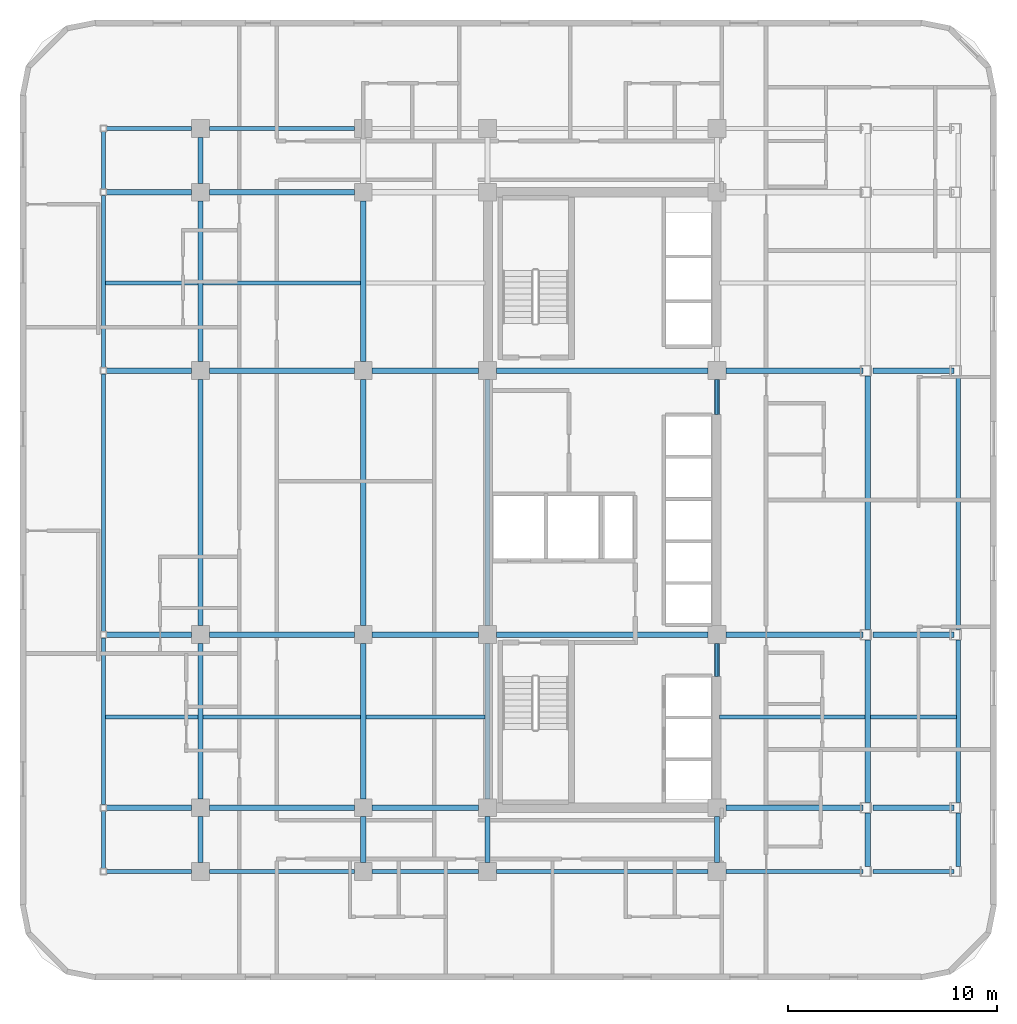
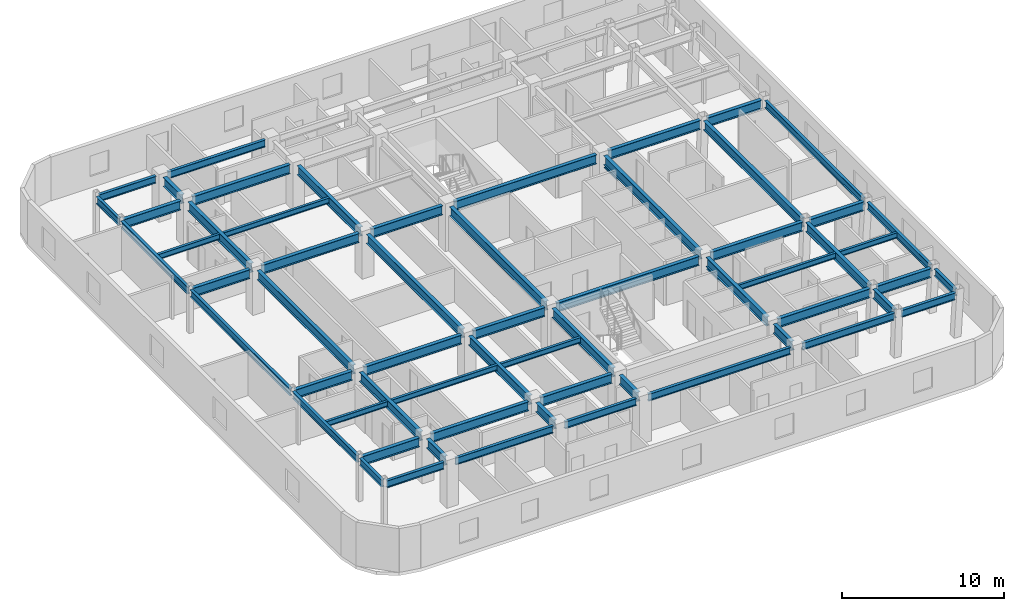
# One storey, part 4 of 11: 62 beams.
"""IFC4 building model written with IfcOpenShell, lengths in metres."""

from ifc_helpers import new_model, si_unit, direction, frame, origin, origin_2d, place, context, subcontext, project, spatial, i_section, extrude, material, material_profile, profile_set, type_object, element, save


model = new_model("IFC4")

# Units and contexts
model_context = context("Model", 3, precision=1e-05, world=origin(), true_north=direction((0.0, 1.0)))
body_context = subcontext(model_context, "Body", "Model", "MODEL_VIEW")
ifc_project = project(units=[si_unit("LENGTHUNIT", "METRE"), si_unit("AREAUNIT", "SQUARE_METRE"), si_unit("VOLUMEUNIT", "CUBIC_METRE"), si_unit("PLANEANGLEUNIT", "RADIAN"), si_unit("MASSUNIT", "GRAM", prefix="KILO")], contexts=[model_context])

# Site, building, storey
site_placement = place(None, origin())
site = spatial("IfcSite", under=ifc_project, at=site_placement, CompositionType="ELEMENT")
building_placement = place(site_placement, origin())
building = spatial("IfcBuilding", under=site, at=building_placement, Name="Ochreholt Gables", CompositionType="ELEMENT")
storey_placement = place(building_placement, frame((0.0, 0.0, 67.800048828125)))
storey = spatial("IfcBuildingStorey", under=building, at=storey_placement, Name="L17", CompositionType="ELEMENT", Elevation=67.800048828125)

# Beams
ifc_material = material(Name="Steel CSA G40.21 350W", Category="steel")
ifc_material_profile_1 = material_profile(ifc_material, i_section(OverallWidth=0.256103515625, OverallDepth=0.693115234375, WebThickness=0.014404296875, FlangeThickness=0.023681640625, at=origin_2d()), Name="W690X170")
ifc_profile_set_1 = profile_set([ifc_material_profile_1], Name="Steel CSA G40.21 350W")
beam_type_1 = type_object("IfcBeamType", Name="BM-G-W690", PredefinedType="BEAM", material=ifc_profile_set_1)
beam_1_placement = place(storey_placement, frame((5.9521484375, 9.25, 2.953369140625), z_axis=(1.0, 0.0, 0.0), x_axis=(0.0, 1.0, 0.0)))
element("IfcBeam", 1, at=beam_1_placement, inside=storey, type_object=beam_type_1, Name="L17 Beam TBG-L17-WTW2-Y2", PredefinedType="BEAM", context=body_context, shape_type="SweptSolid", body=[
    extrude(i_section(OverallWidth=0.256103515625, OverallDepth=0.693115234375, WebThickness=0.014404296875, FlangeThickness=0.023681640625, at=origin_2d()), origin(), (0.0, 0.0, 1.0), 4.0732421875),
])
beam_2_placement = place(storey_placement, frame((10.87451171875, 9.25, 2.953369140625), z_axis=(1.0, 0.0, 0.0), x_axis=(0.0, 1.0, 0.0)))
element("IfcBeam", 2, at=beam_2_placement, inside=storey, type_object=beam_type_1, Name="L17 Beam TBG-L17-W2W3-Y2", PredefinedType="BEAM", context=body_context, shape_type="SweptSolid", body=[
    extrude(i_section(OverallWidth=0.256103515625, OverallDepth=0.693115234375, WebThickness=0.014404296875, FlangeThickness=0.023681640625, at=origin_2d()), origin(), (0.0, 0.0, 1.0), 6.950927734375),
])
beam_3_placement = place(storey_placement, frame((18.674560546875, 9.25, 2.953369140625), z_axis=(1.0, 0.0, 0.0), x_axis=(0.0, 1.0, 0.0)))
element("IfcBeam", 3, at=beam_3_placement, inside=storey, type_object=beam_type_1, Name="L17 Beam TBG-L17-W3C1-Y2", PredefinedType="BEAM", context=body_context, shape_type="SweptSolid", body=[
    extrude(i_section(OverallWidth=0.256103515625, OverallDepth=0.693115234375, WebThickness=0.014404296875, FlangeThickness=0.023681640625, at=origin_2d()), origin(), (0.0, 0.0, 1.0), 5.100830078125),
])
beam_4_placement = place(storey_placement, frame((35.62451171875, 9.25, 2.953369140625), z_axis=(1.0, 0.0, 0.0), x_axis=(0.0, 1.0, 0.0)))
element("IfcBeam", 4, at=beam_4_placement, inside=storey, type_object=beam_type_1, Name="L17 Beam TBG-L17-C2EM-Y2", PredefinedType="BEAM", context=body_context, shape_type="SweptSolid", body=[
    extrude(i_section(OverallWidth=0.256103515625, OverallDepth=0.693115234375, WebThickness=0.014404296875, FlangeThickness=0.023681640625, at=origin_2d()), origin(), (0.0, 0.0, 1.0), 6.560791015625),
])
beam_5_placement = place(storey_placement, frame((42.6845703125, 9.25, 2.953369140625), z_axis=(1.0, 0.0, 0.0), x_axis=(0.0, 1.0, 0.0)))
element("IfcBeam", 5, at=beam_5_placement, inside=storey, type_object=beam_type_1, Name="L17 Beam TBG-L17-EMEE-Y2", PredefinedType="BEAM", context=body_context, shape_type="SweptSolid", body=[
    extrude(i_section(OverallWidth=0.256103515625, OverallDepth=0.693115234375, WebThickness=0.014404296875, FlangeThickness=0.023681640625, at=origin_2d()), origin(), (0.0, 0.0, 1.0), 3.86376953125),
])
beam_6_placement = place(storey_placement, frame((5.9521484375, 17.550048828125, 2.953369140625), z_axis=(1.0, 0.0, 0.0), x_axis=(0.0, 1.0, 0.0)))
element("IfcBeam", 6, at=beam_6_placement, inside=storey, type_object=beam_type_1, Name="L17 Beam TBG-L17-WTW2-Y3", PredefinedType="BEAM", context=body_context, shape_type="SweptSolid", body=[
    extrude(i_section(OverallWidth=0.256103515625, OverallDepth=0.693115234375, WebThickness=0.014404296875, FlangeThickness=0.023681640625, at=origin_2d()), origin(), (0.0, 0.0, 1.0), 4.0732421875),
])
beam_7_placement = place(storey_placement, frame((10.87451171875, 17.550048828125, 2.953369140625), z_axis=(1.0, 0.0, 0.0), x_axis=(0.0, 1.0, 0.0)))
element("IfcBeam", 7, at=beam_7_placement, inside=storey, type_object=beam_type_1, Name="L17 Beam TBG-L17-W2W3-Y3", PredefinedType="BEAM", context=body_context, shape_type="SweptSolid", body=[
    extrude(i_section(OverallWidth=0.256103515625, OverallDepth=0.693115234375, WebThickness=0.014404296875, FlangeThickness=0.023681640625, at=origin_2d()), origin(), (0.0, 0.0, 1.0), 6.950927734375),
])
beam_8_placement = place(storey_placement, frame((18.674560546875, 17.550048828125, 2.953369140625), z_axis=(1.0, 0.0, 0.0), x_axis=(0.0, 1.0, 0.0)))
element("IfcBeam", 8, at=beam_8_placement, inside=storey, type_object=beam_type_1, Name="L17 Beam TBG-L17-W3C1-Y3", PredefinedType="BEAM", context=body_context, shape_type="SweptSolid", body=[
    extrude(i_section(OverallWidth=0.256103515625, OverallDepth=0.693115234375, WebThickness=0.014404296875, FlangeThickness=0.023681640625, at=origin_2d()), origin(), (0.0, 0.0, 1.0), 5.100830078125),
])
beam_9_placement = place(storey_placement, frame((24.62451171875, 17.550048828125, 2.953369140625), z_axis=(1.0, 0.0, 0.0), x_axis=(0.0, 1.0, 0.0)))
element("IfcBeam", 9, at=beam_9_placement, inside=storey, type_object=beam_type_1, Name="L17 Beam TBG-L17-C1C2-Y3", PredefinedType="BEAM", context=body_context, shape_type="SweptSolid", body=[
    extrude(i_section(OverallWidth=0.256103515625, OverallDepth=0.693115234375, WebThickness=0.014404296875, FlangeThickness=0.023681640625, at=origin_2d()), origin(), (0.0, 0.0, 1.0), 10.15087890625),
])
beam_10_placement = place(storey_placement, frame((35.62451171875, 17.550048828125, 2.953369140625), z_axis=(1.0, 0.0, 0.0), x_axis=(0.0, 1.0, 0.0)))
element("IfcBeam", 10, at=beam_10_placement, inside=storey, type_object=beam_type_1, Name="L17 Beam TBG-L17-C2EM-Y3", PredefinedType="BEAM", context=body_context, shape_type="SweptSolid", body=[
    extrude(i_section(OverallWidth=0.256103515625, OverallDepth=0.693115234375, WebThickness=0.014404296875, FlangeThickness=0.023681640625, at=origin_2d()), origin(), (0.0, 0.0, 1.0), 6.560791015625),
])
beam_11_placement = place(storey_placement, frame((42.6845703125, 17.550048828125, 2.953369140625), z_axis=(1.0, 0.0, 0.0), x_axis=(0.0, 1.0, 0.0)))
element("IfcBeam", 11, at=beam_11_placement, inside=storey, type_object=beam_type_1, Name="L17 Beam TBG-L17-EMEE-Y3", PredefinedType="BEAM", context=body_context, shape_type="SweptSolid", body=[
    extrude(i_section(OverallWidth=0.256103515625, OverallDepth=0.693115234375, WebThickness=0.014404296875, FlangeThickness=0.023681640625, at=origin_2d()), origin(), (0.0, 0.0, 1.0), 3.86376953125),
])
beam_12_placement = place(storey_placement, frame((5.9521484375, 30.199951171875, 2.953369140625), z_axis=(1.0, 0.0, 0.0), x_axis=(0.0, 1.0, 0.0)))
element("IfcBeam", 12, at=beam_12_placement, inside=storey, type_object=beam_type_1, Name="L17 Beam TBG-L17-WTW2-Y4", PredefinedType="BEAM", context=body_context, shape_type="SweptSolid", body=[
    extrude(i_section(OverallWidth=0.256103515625, OverallDepth=0.693115234375, WebThickness=0.014404296875, FlangeThickness=0.023681640625, at=origin_2d()), origin(), (0.0, 0.0, 1.0), 4.0732421875),
])
beam_13_placement = place(storey_placement, frame((10.87451171875, 30.199951171875, 2.953369140625), z_axis=(1.0, 0.0, 0.0), x_axis=(0.0, 1.0, 0.0)))
element("IfcBeam", 13, at=beam_13_placement, inside=storey, type_object=beam_type_1, Name="L17 Beam TBG-L17-W2W3-Y4", PredefinedType="BEAM", context=body_context, shape_type="SweptSolid", body=[
    extrude(i_section(OverallWidth=0.256103515625, OverallDepth=0.693115234375, WebThickness=0.014404296875, FlangeThickness=0.023681640625, at=origin_2d()), origin(), (0.0, 0.0, 1.0), 6.950927734375),
])
beam_14_placement = place(storey_placement, frame((18.674560546875, 30.199951171875, 2.953369140625), z_axis=(1.0, 0.0, 0.0), x_axis=(0.0, 1.0, 0.0)))
element("IfcBeam", 14, at=beam_14_placement, inside=storey, type_object=beam_type_1, Name="L17 Beam TBG-L17-W3C1-Y4", PredefinedType="BEAM", context=body_context, shape_type="SweptSolid", body=[
    extrude(i_section(OverallWidth=0.256103515625, OverallDepth=0.693115234375, WebThickness=0.014404296875, FlangeThickness=0.023681640625, at=origin_2d()), origin(), (0.0, 0.0, 1.0), 5.100830078125),
])
beam_15_placement = place(storey_placement, frame((24.62451171875, 30.199951171875, 2.953369140625), z_axis=(1.0, 0.0, 0.0), x_axis=(0.0, 1.0, 0.0)))
element("IfcBeam", 15, at=beam_15_placement, inside=storey, type_object=beam_type_1, Name="L17 Beam TBG-L17-C1C2-Y4", PredefinedType="BEAM", context=body_context, shape_type="SweptSolid", body=[
    extrude(i_section(OverallWidth=0.256103515625, OverallDepth=0.693115234375, WebThickness=0.014404296875, FlangeThickness=0.023681640625, at=origin_2d()), origin(), (0.0, 0.0, 1.0), 10.15087890625),
])
beam_16_placement = place(storey_placement, frame((35.62451171875, 30.199951171875, 2.953369140625), z_axis=(1.0, 0.0, 0.0), x_axis=(0.0, 1.0, 0.0)))
element("IfcBeam", 16, at=beam_16_placement, inside=storey, type_object=beam_type_1, Name="L17 Beam TBG-L17-C2EM-Y4", PredefinedType="BEAM", context=body_context, shape_type="SweptSolid", body=[
    extrude(i_section(OverallWidth=0.256103515625, OverallDepth=0.693115234375, WebThickness=0.014404296875, FlangeThickness=0.023681640625, at=origin_2d()), origin(), (0.0, 0.0, 1.0), 6.560791015625),
])
beam_17_placement = place(storey_placement, frame((42.6845703125, 30.199951171875, 2.953369140625), z_axis=(1.0, 0.0, 0.0), x_axis=(0.0, 1.0, 0.0)))
element("IfcBeam", 17, at=beam_17_placement, inside=storey, type_object=beam_type_1, Name="L17 Beam TBG-L17-EMEE-Y4", PredefinedType="BEAM", context=body_context, shape_type="SweptSolid", body=[
    extrude(i_section(OverallWidth=0.256103515625, OverallDepth=0.693115234375, WebThickness=0.014404296875, FlangeThickness=0.023681640625, at=origin_2d()), origin(), (0.0, 0.0, 1.0), 3.86376953125),
])
beam_18_placement = place(storey_placement, frame((5.9521484375, 38.75, 2.953369140625), z_axis=(1.0, 0.0, 0.0), x_axis=(0.0, 1.0, 0.0)))
element("IfcBeam", 18, at=beam_18_placement, inside=storey, type_object=beam_type_1, Name="L17 Beam TBG-L17-WTW2-Y5", PredefinedType="BEAM", context=body_context, shape_type="SweptSolid", body=[
    extrude(i_section(OverallWidth=0.256103515625, OverallDepth=0.693115234375, WebThickness=0.014404296875, FlangeThickness=0.023681640625, at=origin_2d()), origin(), (0.0, 0.0, 1.0), 4.0732421875),
])
beam_19_placement = place(storey_placement, frame((10.87451171875, 38.75, 2.953369140625), z_axis=(1.0, 0.0, 0.0), x_axis=(0.0, 1.0, 0.0)))
element("IfcBeam", 19, at=beam_19_placement, inside=storey, type_object=beam_type_1, Name="L17 Beam TBG-L17-W2W3-Y5", PredefinedType="BEAM", context=body_context, shape_type="SweptSolid", body=[
    extrude(i_section(OverallWidth=0.256103515625, OverallDepth=0.693115234375, WebThickness=0.014404296875, FlangeThickness=0.023681640625, at=origin_2d()), origin(), (0.0, 0.0, 1.0), 6.950927734375),
])
beam_20_placement = place(storey_placement, frame((10.449951171875, 6.62451171875, 2.953369140625), z_axis=(0.0, 1.0, 0.0), x_axis=(-1.0, 0.0, 0.0)))
element("IfcBeam", 20, at=beam_20_placement, inside=storey, type_object=beam_type_1, Name="L17 Beam TBN-L17-W2-Y1Y2", PredefinedType="BEAM", context=body_context, shape_type="SweptSolid", body=[
    extrude(i_section(OverallWidth=0.256103515625, OverallDepth=0.693115234375, WebThickness=0.014404296875, FlangeThickness=0.023681640625, at=origin_2d()), origin(), (0.0, 0.0, 1.0), 2.200927734375),
])
beam_21_placement = place(storey_placement, frame((10.449951171875, 9.674560546875, 2.953369140625), z_axis=(0.0, 1.0, 0.0), x_axis=(-1.0, 0.0, 0.0)))
element("IfcBeam", 21, at=beam_21_placement, inside=storey, type_object=beam_type_1, Name="L17 Beam TBN-L17-W2-Y2Y3", PredefinedType="BEAM", context=body_context, shape_type="SweptSolid", body=[
    extrude(i_section(OverallWidth=0.256103515625, OverallDepth=0.693115234375, WebThickness=0.014404296875, FlangeThickness=0.023681640625, at=origin_2d()), origin(), (0.0, 0.0, 1.0), 7.450927734375),
])
beam_22_placement = place(storey_placement, frame((10.449951171875, 17.974609375, 2.953369140625), z_axis=(0.0, 1.0, 0.0), x_axis=(-1.0, 0.0, 0.0)))
element("IfcBeam", 22, at=beam_22_placement, inside=storey, type_object=beam_type_1, Name="L17 Beam TBN-L17-W2-Y3Y4", PredefinedType="BEAM", context=body_context, shape_type="SweptSolid", body=[
    extrude(i_section(OverallWidth=0.256103515625, OverallDepth=0.693115234375, WebThickness=0.014404296875, FlangeThickness=0.023681640625, at=origin_2d()), origin(), (0.0, 0.0, 1.0), 11.80078125),
])
beam_23_placement = place(storey_placement, frame((10.449951171875, 30.62451171875, 2.953369140625), z_axis=(0.0, 1.0, 0.0), x_axis=(-1.0, 0.0, 0.0)))
element("IfcBeam", 23, at=beam_23_placement, inside=storey, type_object=beam_type_1, Name="L17 Beam TBN-L17-W2-Y4Y5", PredefinedType="BEAM", context=body_context, shape_type="SweptSolid", body=[
    extrude(i_section(OverallWidth=0.256103515625, OverallDepth=0.693115234375, WebThickness=0.014404296875, FlangeThickness=0.023681640625, at=origin_2d()), origin(), (0.0, 0.0, 1.0), 7.700927734375),
])
for number, where, z_axis, x_axis, name in (
    (24, (10.449951171875, 39.174560546875, 2.953369140625), (0.0, 1.0, 0.0), (-1.0, 0.0, 0.0), "L17 Beam TBN-L17-W2-Y5Y6"),
    (25, (18.25, 6.62451171875, 2.953369140625), (0.0, 1.0, 0.0), (-1.0, 0.0, 0.0), "L17 Beam TBN-L17-W3-Y1Y2"),
):
    element("IfcBeam", number, at=place(storey_placement, frame(where, z_axis=z_axis, x_axis=x_axis)), inside=storey, type_object=beam_type_1, Name=name, PredefinedType="BEAM", context=body_context, shape_type="SweptSolid", body=[
        extrude(i_section(OverallWidth=0.256103515625, OverallDepth=0.693115234375, WebThickness=0.014404296875, FlangeThickness=0.023681640625, at=origin_2d()), origin(), (0.0, 0.0, 1.0), 2.200927734375),
    ])
beam_24_placement = place(storey_placement, frame((18.25, 9.674560546875, 2.953369140625), z_axis=(0.0, 1.0, 0.0), x_axis=(-1.0, 0.0, 0.0)))
element("IfcBeam", 26, at=beam_24_placement, inside=storey, type_object=beam_type_1, Name="L17 Beam TBN-L17-W3-Y2Y3", PredefinedType="BEAM", context=body_context, shape_type="SweptSolid", body=[
    extrude(i_section(OverallWidth=0.256103515625, OverallDepth=0.693115234375, WebThickness=0.014404296875, FlangeThickness=0.023681640625, at=origin_2d()), origin(), (0.0, 0.0, 1.0), 7.450927734375),
])
beam_25_placement = place(storey_placement, frame((18.25, 17.974609375, 2.953369140625), z_axis=(0.0, 1.0, 0.0), x_axis=(-1.0, 0.0, 0.0)))
element("IfcBeam", 27, at=beam_25_placement, inside=storey, type_object=beam_type_1, Name="L17 Beam TBN-L17-W3-Y3Y4", PredefinedType="BEAM", context=body_context, shape_type="SweptSolid", body=[
    extrude(i_section(OverallWidth=0.256103515625, OverallDepth=0.693115234375, WebThickness=0.014404296875, FlangeThickness=0.023681640625, at=origin_2d()), origin(), (0.0, 0.0, 1.0), 11.80078125),
])
beam_26_placement = place(storey_placement, frame((18.25, 30.62451171875, 2.953369140625), z_axis=(0.0, 1.0, 0.0), x_axis=(-1.0, 0.0, 0.0)))
element("IfcBeam", 28, at=beam_26_placement, inside=storey, type_object=beam_type_1, Name="L17 Beam TBN-L17-W3-Y4Y5", PredefinedType="BEAM", context=body_context, shape_type="SweptSolid", body=[
    extrude(i_section(OverallWidth=0.256103515625, OverallDepth=0.693115234375, WebThickness=0.014404296875, FlangeThickness=0.023681640625, at=origin_2d()), origin(), (0.0, 0.0, 1.0), 7.700927734375),
])
beam_27_placement = place(storey_placement, frame((24.199951171875, 6.62451171875, 2.953369140625), z_axis=(0.0, 1.0, 0.0), x_axis=(-1.0, 0.0, 0.0)))
element("IfcBeam", 29, at=beam_27_placement, inside=storey, type_object=beam_type_1, Name="L17 Beam TBN-L17-C1-Y1Y2", PredefinedType="BEAM", context=body_context, shape_type="SweptSolid", body=[
    extrude(i_section(OverallWidth=0.256103515625, OverallDepth=0.693115234375, WebThickness=0.014404296875, FlangeThickness=0.023681640625, at=origin_2d()), origin(), (0.0, 0.0, 1.0), 2.200927734375),
])
beam_28_placement = place(storey_placement, frame((24.199951171875, 9.674560546875, 2.953369140625), z_axis=(0.0, 1.0, 0.0), x_axis=(-1.0, 0.0, 0.0)))
element("IfcBeam", 30, at=beam_28_placement, inside=storey, type_object=beam_type_1, Name="L17 Beam TBN-L17-C1-Y2Y3", PredefinedType="BEAM", context=body_context, shape_type="SweptSolid", body=[
    extrude(i_section(OverallWidth=0.256103515625, OverallDepth=0.693115234375, WebThickness=0.014404296875, FlangeThickness=0.023681640625, at=origin_2d()), origin(), (0.0, 0.0, 1.0), 7.450927734375),
])
beam_29_placement = place(storey_placement, frame((24.199951171875, 17.974609375, 2.953369140625), z_axis=(0.0, 1.0, 0.0), x_axis=(-1.0, 0.0, 0.0)))
element("IfcBeam", 31, at=beam_29_placement, inside=storey, type_object=beam_type_1, Name="L17 Beam TBN-L17-C1-Y3Y4", PredefinedType="BEAM", context=body_context, shape_type="SweptSolid", body=[
    extrude(i_section(OverallWidth=0.256103515625, OverallDepth=0.693115234375, WebThickness=0.014404296875, FlangeThickness=0.023681640625, at=origin_2d()), origin(), (0.0, 0.0, 1.0), 11.80078125),
])
beam_30_placement = place(storey_placement, frame((35.199951171875, 6.62451171875, 2.953369140625), z_axis=(0.0, 1.0, 0.0), x_axis=(-1.0, 0.0, 0.0)))
element("IfcBeam", 32, at=beam_30_placement, inside=storey, type_object=beam_type_1, Name="L17 Beam TBN-L17-C2-Y1Y2", PredefinedType="BEAM", context=body_context, shape_type="SweptSolid", body=[
    extrude(i_section(OverallWidth=0.256103515625, OverallDepth=0.693115234375, WebThickness=0.014404296875, FlangeThickness=0.023681640625, at=origin_2d()), origin(), (0.0, 0.0, 1.0), 2.200927734375),
])
beam_31_placement = place(storey_placement, frame((35.199951171875, 9.674560546875, 2.953369140625), z_axis=(0.0, 1.0, 0.0), x_axis=(-1.0, 0.0, 0.0)))
element("IfcBeam", 33, at=beam_31_placement, inside=storey, type_object=beam_type_1, Name="L17 Beam TBN-L17-C2-Y2Y3", PredefinedType="BEAM", context=body_context, shape_type="SweptSolid", body=[
    extrude(i_section(OverallWidth=0.256103515625, OverallDepth=0.693115234375, WebThickness=0.014404296875, FlangeThickness=0.023681640625, at=origin_2d()), origin(), (0.0, 0.0, 1.0), 7.450927734375),
])
beam_32_placement = place(storey_placement, frame((35.199951171875, 17.974609375, 2.953369140625), z_axis=(0.0, 1.0, 0.0), x_axis=(-1.0, 0.0, 0.0)))
element("IfcBeam", 34, at=beam_32_placement, inside=storey, type_object=beam_type_1, Name="L17 Beam TBN-L17-C2-Y3Y4", PredefinedType="BEAM", context=body_context, shape_type="SweptSolid", body=[
    extrude(i_section(OverallWidth=0.256103515625, OverallDepth=0.693115234375, WebThickness=0.014404296875, FlangeThickness=0.023681640625, at=origin_2d()), origin(), (0.0, 0.0, 1.0), 11.80078125),
])
beam_33_placement = place(storey_placement, frame((42.415771484375, 6.44970703125, 2.953369140625), z_axis=(0.0, 1.0, 0.0), x_axis=(-1.0, 0.0, 0.0)))
element("IfcBeam", 35, at=beam_33_placement, inside=storey, type_object=beam_type_1, Name="L17 Beam TBN-L17-EM-Y1Y2", PredefinedType="BEAM", context=body_context, shape_type="SweptSolid", body=[
    extrude(i_section(OverallWidth=0.256103515625, OverallDepth=0.693115234375, WebThickness=0.014404296875, FlangeThickness=0.023681640625, at=origin_2d()), origin(), (0.0, 0.0, 1.0), 2.55078125),
])
beam_34_placement = place(storey_placement, frame((42.415771484375, 9.49951171875, 2.953369140625), z_axis=(0.0, 1.0, 0.0), x_axis=(-1.0, 0.0, 0.0)))
element("IfcBeam", 36, at=beam_34_placement, inside=storey, type_object=beam_type_1, Name="L17 Beam TBN-L17-EM-Y2Y3", PredefinedType="BEAM", context=body_context, shape_type="SweptSolid", body=[
    extrude(i_section(OverallWidth=0.256103515625, OverallDepth=0.693115234375, WebThickness=0.014404296875, FlangeThickness=0.023681640625, at=origin_2d()), origin(), (0.0, 0.0, 1.0), 7.80078125),
])
beam_35_placement = place(storey_placement, frame((42.415771484375, 17.799560546875, 2.953369140625), z_axis=(0.0, 1.0, 0.0), x_axis=(-1.0, 0.0, 0.0)))
element("IfcBeam", 37, at=beam_35_placement, inside=storey, type_object=beam_type_1, Name="L17 Beam TBN-L17-EM-Y3Y4", PredefinedType="BEAM", context=body_context, shape_type="SweptSolid", body=[
    extrude(i_section(OverallWidth=0.256103515625, OverallDepth=0.693115234375, WebThickness=0.014404296875, FlangeThickness=0.023681640625, at=origin_2d()), origin(), (0.0, 0.0, 1.0), 12.15087890625),
])
ifc_material_profile_2 = material_profile(ifc_material, i_section(OverallWidth=0.178955078125, OverallDepth=0.409912109375, WebThickness=0.0087890625, FlangeThickness=0.014404296875, at=origin_2d()), Name="W410X67")
ifc_profile_set_2 = profile_set([ifc_material_profile_2], Name="Steel CSA G40.21 350W")
beam_type_2 = type_object("IfcBeamType", Name="BM-J-W410", PredefinedType="JOIST", material=ifc_profile_set_2)
beam_36_placement = place(storey_placement, frame((5.904052734375, 13.60009765625, 3.094970703125), z_axis=(1.0, 0.0, 0.0), x_axis=(0.0, 1.0, 0.0)))
element("IfcBeam", 38, at=beam_36_placement, inside=storey, type_object=beam_type_2, Name="L17 Beam TBJ-L17-J1-WTW2", PredefinedType="JOIST", context=body_context, shape_type="SweptSolid", body=[
    extrude(i_section(OverallWidth=0.178955078125, OverallDepth=0.409912109375, WebThickness=0.0087890625, FlangeThickness=0.014404296875, at=origin_2d()), origin(), (0.0, 0.0, 1.0), 4.41845703125),
])
beam_37_placement = place(storey_placement, frame((10.57763671875, 13.60009765625, 3.094970703125), z_axis=(1.0, 0.0, 0.0), x_axis=(0.0, 1.0, 0.0)))
element("IfcBeam", 39, at=beam_37_placement, inside=storey, type_object=beam_type_2, Name="L17 Beam TBJ-L17-J1-W2W3", PredefinedType="JOIST", context=body_context, shape_type="SweptSolid", body=[
    extrude(i_section(OverallWidth=0.178955078125, OverallDepth=0.409912109375, WebThickness=0.0087890625, FlangeThickness=0.014404296875, at=origin_2d()), origin(), (0.0, 0.0, 1.0), 7.544677734375),
])
beam_38_placement = place(storey_placement, frame((18.377685546875, 13.60009765625, 3.094970703125), z_axis=(1.0, 0.0, 0.0), x_axis=(0.0, 1.0, 0.0)))
element("IfcBeam", 40, at=beam_38_placement, inside=storey, type_object=beam_type_2, Name="L17 Beam TBJ-L17-J1-W3C1", PredefinedType="JOIST", context=body_context, shape_type="SweptSolid", body=[
    extrude(i_section(OverallWidth=0.178955078125, OverallDepth=0.409912109375, WebThickness=0.0087890625, FlangeThickness=0.014404296875, at=origin_2d()), origin(), (0.0, 0.0, 1.0), 5.69482421875),
])
beam_39_placement = place(storey_placement, frame((35.32763671875, 13.60009765625, 3.094970703125), z_axis=(1.0, 0.0, 0.0), x_axis=(0.0, 1.0, 0.0)))
element("IfcBeam", 41, at=beam_39_placement, inside=storey, type_object=beam_type_2, Name="L17 Beam TBJ-L17-J1-C2EM", PredefinedType="JOIST", context=body_context, shape_type="SweptSolid", body=[
    extrude(i_section(OverallWidth=0.178955078125, OverallDepth=0.409912109375, WebThickness=0.0087890625, FlangeThickness=0.014404296875, at=origin_2d()), origin(), (0.0, 0.0, 1.0), 6.96044921875),
])
beam_40_placement = place(storey_placement, frame((42.54345703125, 13.60009765625, 3.094970703125), z_axis=(1.0, 0.0, 0.0), x_axis=(0.0, 1.0, 0.0)))
element("IfcBeam", 42, at=beam_40_placement, inside=storey, type_object=beam_type_2, Name="L17 Beam TBJ-L17-J1-EMEE", PredefinedType="JOIST", context=body_context, shape_type="SweptSolid", body=[
    extrude(i_section(OverallWidth=0.178955078125, OverallDepth=0.409912109375, WebThickness=0.0087890625, FlangeThickness=0.014404296875, at=origin_2d()), origin(), (0.0, 0.0, 1.0), 4.11865234375),
])
beam_41_placement = place(storey_placement, frame((5.904052734375, 34.39990234375, 3.094970703125), z_axis=(1.0, 0.0, 0.0), x_axis=(0.0, 1.0, 0.0)))
element("IfcBeam", 43, at=beam_41_placement, inside=storey, type_object=beam_type_2, Name="L17 Beam TBJ-L17-J2-WTW2", PredefinedType="JOIST", context=body_context, shape_type="SweptSolid", body=[
    extrude(i_section(OverallWidth=0.178955078125, OverallDepth=0.409912109375, WebThickness=0.0087890625, FlangeThickness=0.014404296875, at=origin_2d()), origin(), (0.0, 0.0, 1.0), 4.41845703125),
])
beam_42_placement = place(storey_placement, frame((10.57763671875, 34.39990234375, 3.094970703125), z_axis=(1.0, 0.0, 0.0), x_axis=(0.0, 1.0, 0.0)))
element("IfcBeam", 44, at=beam_42_placement, inside=storey, type_object=beam_type_2, Name="L17 Beam TBJ-L17-J2-W2W3", PredefinedType="JOIST", context=body_context, shape_type="SweptSolid", body=[
    extrude(i_section(OverallWidth=0.178955078125, OverallDepth=0.409912109375, WebThickness=0.0087890625, FlangeThickness=0.014404296875, at=origin_2d()), origin(), (0.0, 0.0, 1.0), 7.544677734375),
])
ifc_material_profile_3 = material_profile(ifc_material, i_section(OverallWidth=0.1650390625, OverallDepth=0.200927734375, WebThickness=0.006103515625, FlangeThickness=0.01025390625, at=origin_2d()), Name="W200X36")
ifc_profile_set_3 = profile_set([ifc_material_profile_3], Name="Steel CSA G40.21 350W")
beam_type_3 = type_object("IfcBeamType", Name="BM-LIN-W200", PredefinedType="LINTEL", material=ifc_profile_set_3)
beam_43_placement = place(storey_placement, frame((35.175048828125, 15.550048828125, 2.50634765625), z_axis=(0.0, 1.0, 0.0), x_axis=(-1.0, 0.0, 0.0)))
element("IfcBeam", 45, at=beam_43_placement, inside=storey, type_object=beam_type_3, Name="L17 Core Coupling Lintel CPS", PredefinedType="LINTEL", context=body_context, shape_type="SweptSolid", body=[
    extrude(i_section(OverallWidth=0.1650390625, OverallDepth=0.200927734375, WebThickness=0.006103515625, FlangeThickness=0.01025390625, at=origin_2d()), origin(), (0.0, 0.0, 1.0), 1.574951171875),
])
beam_44_placement = place(storey_placement, frame((35.175048828125, 28.10009765625, 2.50634765625), z_axis=(0.0, 1.0, 0.0), x_axis=(-1.0, 0.0, 0.0)))
element("IfcBeam", 46, at=beam_44_placement, inside=storey, type_object=beam_type_3, Name="L17 Core Coupling Lintel CPN", PredefinedType="LINTEL", context=body_context, shape_type="SweptSolid", body=[
    extrude(i_section(OverallWidth=0.1650390625, OverallDepth=0.200927734375, WebThickness=0.006103515625, FlangeThickness=0.01025390625, at=origin_2d()), origin(), (0.0, 0.0, 1.0), 1.6748046875),
])
ifc_material_profile_4 = material_profile(ifc_material, i_section(OverallWidth=0.208984375, OverallDepth=0.532958984375, WebThickness=0.01025390625, FlangeThickness=0.015625, at=origin_2d()), Name="W530X92")
ifc_profile_set_4 = profile_set([ifc_material_profile_4], Name="Steel CSA G40.21 350W")
beam_type_4 = type_object("IfcBeamType", Name="BM-SP-W530B", PredefinedType="SPANDREL", material=ifc_profile_set_4)
beam_45_placement = place(storey_placement, frame((5.9521484375, 6.199951171875, 3.033447265625), z_axis=(1.0, 0.0, 0.0), x_axis=(0.0, 1.0, 0.0)))
element("IfcBeam", 47, at=beam_45_placement, inside=storey, type_object=beam_type_4, Name="L17 Beam TBG-L17-WTW2-Y1", PredefinedType="SPANDREL", context=body_context, shape_type="SweptSolid", body=[
    extrude(i_section(OverallWidth=0.208984375, OverallDepth=0.532958984375, WebThickness=0.01025390625, FlangeThickness=0.015625, at=origin_2d()), origin(), (0.0, 0.0, 1.0), 4.0732421875),
])
beam_46_placement = place(storey_placement, frame((10.87451171875, 6.199951171875, 3.033447265625), z_axis=(1.0, 0.0, 0.0), x_axis=(0.0, 1.0, 0.0)))
element("IfcBeam", 48, at=beam_46_placement, inside=storey, type_object=beam_type_4, Name="L17 Beam TBG-L17-W2W3-Y1", PredefinedType="SPANDREL", context=body_context, shape_type="SweptSolid", body=[
    extrude(i_section(OverallWidth=0.208984375, OverallDepth=0.532958984375, WebThickness=0.01025390625, FlangeThickness=0.015625, at=origin_2d()), origin(), (0.0, 0.0, 1.0), 6.950927734375),
])
beam_47_placement = place(storey_placement, frame((18.674560546875, 6.199951171875, 3.033447265625), z_axis=(1.0, 0.0, 0.0), x_axis=(0.0, 1.0, 0.0)))
element("IfcBeam", 49, at=beam_47_placement, inside=storey, type_object=beam_type_4, Name="L17 Beam TBG-L17-W3C1-Y1", PredefinedType="SPANDREL", context=body_context, shape_type="SweptSolid", body=[
    extrude(i_section(OverallWidth=0.208984375, OverallDepth=0.532958984375, WebThickness=0.01025390625, FlangeThickness=0.015625, at=origin_2d()), origin(), (0.0, 0.0, 1.0), 5.100830078125),
])
beam_48_placement = place(storey_placement, frame((24.62451171875, 6.199951171875, 3.033447265625), z_axis=(1.0, 0.0, 0.0), x_axis=(0.0, 1.0, 0.0)))
element("IfcBeam", 50, at=beam_48_placement, inside=storey, type_object=beam_type_4, Name="L17 Beam TBG-L17-C1C2-Y1", PredefinedType="SPANDREL", context=body_context, shape_type="SweptSolid", body=[
    extrude(i_section(OverallWidth=0.208984375, OverallDepth=0.532958984375, WebThickness=0.01025390625, FlangeThickness=0.015625, at=origin_2d()), origin(), (0.0, 0.0, 1.0), 10.15087890625),
])
beam_49_placement = place(storey_placement, frame((35.62451171875, 6.199951171875, 3.033447265625), z_axis=(1.0, 0.0, 0.0), x_axis=(0.0, 1.0, 0.0)))
element("IfcBeam", 51, at=beam_49_placement, inside=storey, type_object=beam_type_4, Name="L17 Beam TBG-L17-C2EM-Y1", PredefinedType="SPANDREL", context=body_context, shape_type="SweptSolid", body=[
    extrude(i_section(OverallWidth=0.208984375, OverallDepth=0.532958984375, WebThickness=0.01025390625, FlangeThickness=0.015625, at=origin_2d()), origin(), (0.0, 0.0, 1.0), 6.560791015625),
])
beam_50_placement = place(storey_placement, frame((42.6845703125, 6.199951171875, 3.033447265625), z_axis=(1.0, 0.0, 0.0), x_axis=(0.0, 1.0, 0.0)))
element("IfcBeam", 52, at=beam_50_placement, inside=storey, type_object=beam_type_4, Name="L17 Beam TBG-L17-EMEE-Y1", PredefinedType="SPANDREL", context=body_context, shape_type="SweptSolid", body=[
    extrude(i_section(OverallWidth=0.208984375, OverallDepth=0.532958984375, WebThickness=0.01025390625, FlangeThickness=0.015625, at=origin_2d()), origin(), (0.0, 0.0, 1.0), 3.86376953125),
])
beam_51_placement = place(storey_placement, frame((5.9521484375, 41.800048828125, 3.033447265625), z_axis=(1.0, 0.0, 0.0), x_axis=(0.0, 1.0, 0.0)))
element("IfcBeam", 53, at=beam_51_placement, inside=storey, type_object=beam_type_4, Name="L17 Beam TBG-L17-WTW2-Y6", PredefinedType="SPANDREL", context=body_context, shape_type="SweptSolid", body=[
    extrude(i_section(OverallWidth=0.208984375, OverallDepth=0.532958984375, WebThickness=0.01025390625, FlangeThickness=0.015625, at=origin_2d()), origin(), (0.0, 0.0, 1.0), 4.0732421875),
])
beam_52_placement = place(storey_placement, frame((10.87451171875, 41.800048828125, 3.033447265625), z_axis=(1.0, 0.0, 0.0), x_axis=(0.0, 1.0, 0.0)))
element("IfcBeam", 54, at=beam_52_placement, inside=storey, type_object=beam_type_4, Name="L17 Beam TBG-L17-W2W3-Y6", PredefinedType="SPANDREL", context=body_context, shape_type="SweptSolid", body=[
    extrude(i_section(OverallWidth=0.208984375, OverallDepth=0.532958984375, WebThickness=0.01025390625, FlangeThickness=0.015625, at=origin_2d()), origin(), (0.0, 0.0, 1.0), 6.950927734375),
])
beam_53_placement = place(storey_placement, frame((5.800048828125, 6.35205078125, 3.033447265625), z_axis=(0.0, 1.0, 0.0), x_axis=(-1.0, 0.0, 0.0)))
element("IfcBeam", 55, at=beam_53_placement, inside=storey, type_object=beam_type_4, Name="L17 Beam TBN-L17-WT-Y1Y2", PredefinedType="SPANDREL", context=body_context, shape_type="SweptSolid", body=[
    extrude(i_section(OverallWidth=0.208984375, OverallDepth=0.532958984375, WebThickness=0.01025390625, FlangeThickness=0.015625, at=origin_2d()), origin(), (0.0, 0.0, 1.0), 2.745849609375),
])
beam_54_placement = place(storey_placement, frame((5.800048828125, 9.402099609375, 3.033447265625), z_axis=(0.0, 1.0, 0.0), x_axis=(-1.0, 0.0, 0.0)))
element("IfcBeam", 56, at=beam_54_placement, inside=storey, type_object=beam_type_4, Name="L17 Beam TBN-L17-WT-Y2Y3", PredefinedType="SPANDREL", context=body_context, shape_type="SweptSolid", body=[
    extrude(i_section(OverallWidth=0.208984375, OverallDepth=0.532958984375, WebThickness=0.01025390625, FlangeThickness=0.015625, at=origin_2d()), origin(), (0.0, 0.0, 1.0), 7.995849609375),
])
beam_55_placement = place(storey_placement, frame((5.800048828125, 17.7021484375, 3.033447265625), z_axis=(0.0, 1.0, 0.0), x_axis=(-1.0, 0.0, 0.0)))
element("IfcBeam", 57, at=beam_55_placement, inside=storey, type_object=beam_type_4, Name="L17 Beam TBN-L17-WT-Y3Y4", PredefinedType="SPANDREL", context=body_context, shape_type="SweptSolid", body=[
    extrude(i_section(OverallWidth=0.208984375, OverallDepth=0.532958984375, WebThickness=0.01025390625, FlangeThickness=0.015625, at=origin_2d()), origin(), (0.0, 0.0, 1.0), 12.345703125),
])
beam_56_placement = place(storey_placement, frame((5.800048828125, 30.35205078125, 3.033447265625), z_axis=(0.0, 1.0, 0.0), x_axis=(-1.0, 0.0, 0.0)))
element("IfcBeam", 58, at=beam_56_placement, inside=storey, type_object=beam_type_4, Name="L17 Beam TBN-L17-WT-Y4Y5", PredefinedType="SPANDREL", context=body_context, shape_type="SweptSolid", body=[
    extrude(i_section(OverallWidth=0.208984375, OverallDepth=0.532958984375, WebThickness=0.01025390625, FlangeThickness=0.015625, at=origin_2d()), origin(), (0.0, 0.0, 1.0), 8.245849609375),
])
beam_57_placement = place(storey_placement, frame((5.800048828125, 38.902099609375, 3.033447265625), z_axis=(0.0, 1.0, 0.0), x_axis=(-1.0, 0.0, 0.0)))
element("IfcBeam", 59, at=beam_57_placement, inside=storey, type_object=beam_type_4, Name="L17 Beam TBN-L17-WT-Y5Y6", PredefinedType="SPANDREL", context=body_context, shape_type="SweptSolid", body=[
    extrude(i_section(OverallWidth=0.208984375, OverallDepth=0.532958984375, WebThickness=0.01025390625, FlangeThickness=0.015625, at=origin_2d()), origin(), (0.0, 0.0, 1.0), 2.745849609375),
])
beam_58_placement = place(storey_placement, frame((46.76611328125, 6.44970703125, 3.033447265625), z_axis=(0.0, 1.0, 0.0), x_axis=(-1.0, 0.0, 0.0)))
element("IfcBeam", 60, at=beam_58_placement, inside=storey, type_object=beam_type_4, Name="L17 Beam TBN-L17-EE-Y1Y2", PredefinedType="SPANDREL", context=body_context, shape_type="SweptSolid", body=[
    extrude(i_section(OverallWidth=0.208984375, OverallDepth=0.532958984375, WebThickness=0.01025390625, FlangeThickness=0.015625, at=origin_2d()), origin(), (0.0, 0.0, 1.0), 2.55078125),
])
beam_59_placement = place(storey_placement, frame((46.76611328125, 9.49951171875, 3.033447265625), z_axis=(0.0, 1.0, 0.0), x_axis=(-1.0, 0.0, 0.0)))
element("IfcBeam", 61, at=beam_59_placement, inside=storey, type_object=beam_type_4, Name="L17 Beam TBN-L17-EE-Y2Y3", PredefinedType="SPANDREL", context=body_context, shape_type="SweptSolid", body=[
    extrude(i_section(OverallWidth=0.208984375, OverallDepth=0.532958984375, WebThickness=0.01025390625, FlangeThickness=0.015625, at=origin_2d()), origin(), (0.0, 0.0, 1.0), 7.80078125),
])
beam_60_placement = place(storey_placement, frame((46.76611328125, 17.799560546875, 3.033447265625), z_axis=(0.0, 1.0, 0.0), x_axis=(-1.0, 0.0, 0.0)))
element("IfcBeam", 62, at=beam_60_placement, inside=storey, type_object=beam_type_4, Name="L17 Beam TBN-L17-EE-Y3Y4", PredefinedType="SPANDREL", context=body_context, shape_type="SweptSolid", body=[
    extrude(i_section(OverallWidth=0.208984375, OverallDepth=0.532958984375, WebThickness=0.01025390625, FlangeThickness=0.015625, at=origin_2d()), origin(), (0.0, 0.0, 1.0), 12.15087890625),
])

save(model, "model.ifc")
